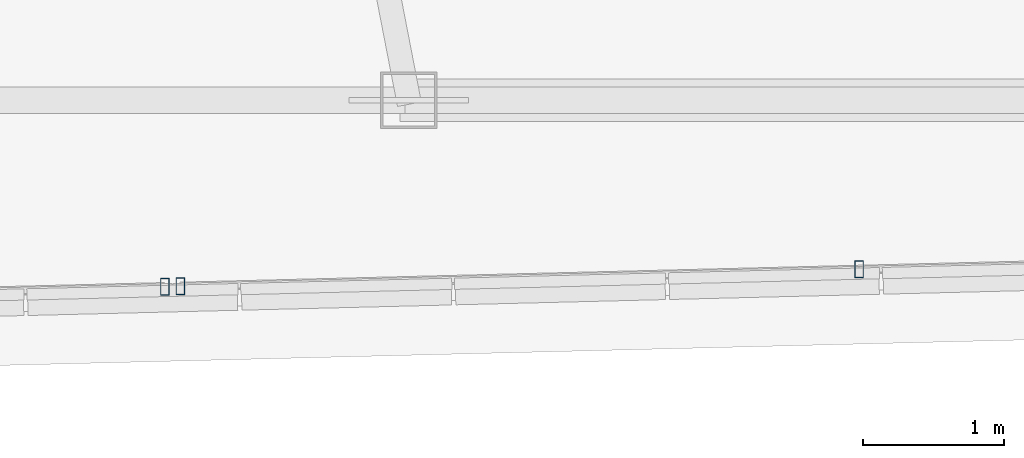
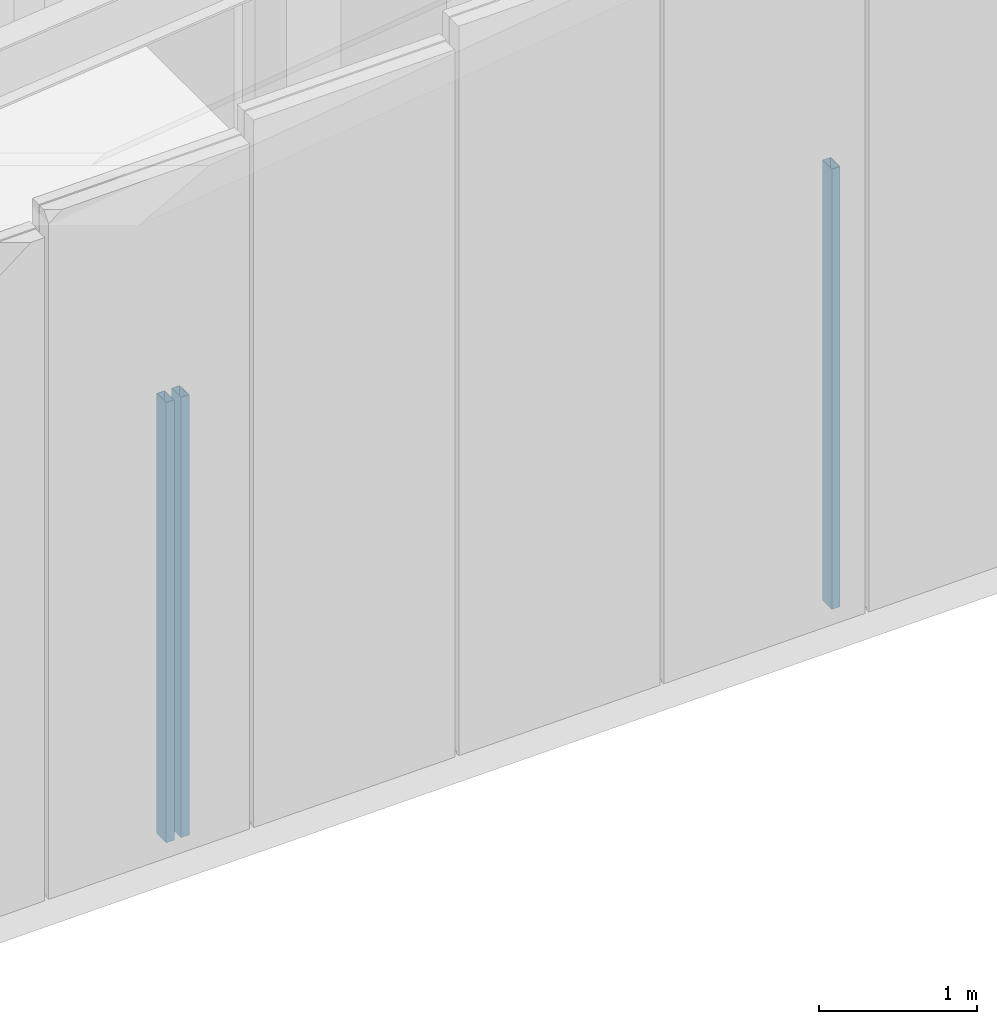
# One storey, part 10 of 50: 3 members, 2 elements without a shape of their own.
"""IFC4 building model written with IfcOpenShell, lengths in metres."""

from ifc_helpers import new_model, si_unit, direction, frame, origin, origin_2d, place, context, subcontext, project, spatial, hollow_rectangle, extrude, source, transform, mapped, material, material_profile, profile_set, type_object, type_shapes, element, aggregate, save


model = new_model("IFC4")

# Units and contexts
model_context = context("Model", 3, precision=1e-05, world=origin(), true_north=direction((0.0, 1.0)))
body_context = subcontext(model_context, "Body", "Model", "MODEL_VIEW")
ifc_project = project(units=[si_unit("LENGTHUNIT", "METRE"), si_unit("AREAUNIT", "SQUARE_METRE"), si_unit("VOLUMEUNIT", "CUBIC_METRE"), si_unit("PLANEANGLEUNIT", "RADIAN"), si_unit("MASSUNIT", "GRAM", prefix="KILO")], contexts=[model_context])

# Site, building, storey
site_placement = place(None, origin())
site = spatial("IfcSite", under=ifc_project, at=site_placement, CompositionType="ELEMENT")
building_placement = place(site_placement, origin())
building = spatial("IfcBuilding", under=site, at=building_placement, Name="Caelisora Broadcast Tower", CompositionType="ELEMENT")
storey_placement = place(building_placement, frame((0.0, 0.0, 303.39990234375)))
storey = spatial("IfcBuildingStorey", under=building, at=storey_placement, Name="L80", CompositionType="ELEMENT", Elevation=303.39990234375)

# Curtain wall, members
ifc_material_1 = material(Name="Unitised Aluminium Insulated Shadow-Box Spandrel Curtain Wall", Category="aluminium")
curtain_wall_type = type_object("IfcCurtainWallType", Name="CW-SP3", PredefinedType="NOTDEFINED", material=ifc_material_1)
curtain_wall_1_placement = place(storey_placement, origin())
curtain_wall_1 = element("IfcCurtainWall", 1, at=curtain_wall_1_placement, inside=storey, type_object=curtain_wall_type, Name="L80 curtain wall CW-SP3", PredefinedType="NOTDEFINED")
ifc_material_2 = material(Name="Aluminium 6063-T6 Anodised Terracotta Bronze", Category="aluminium")
ifc_material_profile = material_profile(ifc_material_2, hollow_rectangle(XDim=0.06005859375, YDim=0.1201171875, WallThickness=0.0029296875, at=origin_2d()), Name="Aluminium 6063-T6 Anodised Terracotta Bronze")
ifc_profile_set = profile_set([ifc_material_profile], Name="Aluminium 6063-T6 Anodised Terracotta Bronze")
member_type = type_object("IfcMemberType", Name="CWM-04", PredefinedType="MULLION", material=ifc_profile_set)
shared_shape = source(origin(), body_context, "Body", "SweptSolid", [
    extrude(hollow_rectangle(XDim=0.06005859375, YDim=0.1201171875, WallThickness=0.0029296875, at=origin_2d()), origin(), (0.0, 0.0, 1.0), 3.400146484375),
])
type_shapes(member_type, [shared_shape])
member_1_placement = place(storey_placement, frame((35.089111328125, 9.04736328125, 0.0), z_axis=(0.0, 0.0, 1.0), x_axis=(1.0, 0.0, 0.0)))
member_1 = element("IfcMember", 2, at=member_1_placement, type_object=member_type, Name="L80-CW-B06 mullion #2", PredefinedType="MULLION", context=body_context, shape_type="MappedRepresentation", body=[
    mapped(shared_shape, transform((0.0, 0.0, 0.0), scale=1.0)),
])
member_2_placement = place(storey_placement, frame((30.264404296875, 8.927001953125, 0.0), z_axis=(0.0, 0.0, 1.0), x_axis=(1.0, 0.0, 0.0)))
member_2 = element("IfcMember", 3, at=member_2_placement, type_object=member_type, Name="L80-CW-B06 mullion #3", PredefinedType="MULLION", context=body_context, shape_type="MappedRepresentation", body=[
    mapped(shared_shape, transform((0.0, 0.0, 0.0), scale=1.0)),
])
aggregate(curtain_wall_1, [member_1, member_2])

# Curtain wall, member
curtain_wall_2_placement = place(storey_placement, origin())
curtain_wall_2 = element("IfcCurtainWall", 4, at=curtain_wall_2_placement, inside=storey, type_object=curtain_wall_type, Name="L80 curtain wall CW-SP3", PredefinedType="NOTDEFINED")
member_3_placement = place(storey_placement, frame((30.154296875, 8.92431640625, 0.0), z_axis=(0.0, 0.0, 1.0), x_axis=(1.0, 0.0, 0.0)))
member_3 = element("IfcMember", 5, at=member_3_placement, type_object=member_type, Name="L80-CW-B07 mullion #0", PredefinedType="MULLION", context=body_context, shape_type="MappedRepresentation", body=[
    mapped(shared_shape, transform((0.0, 0.0, 0.0), scale=1.0)),
])
aggregate(curtain_wall_2, [member_3])

save(model, "model.ifc")
